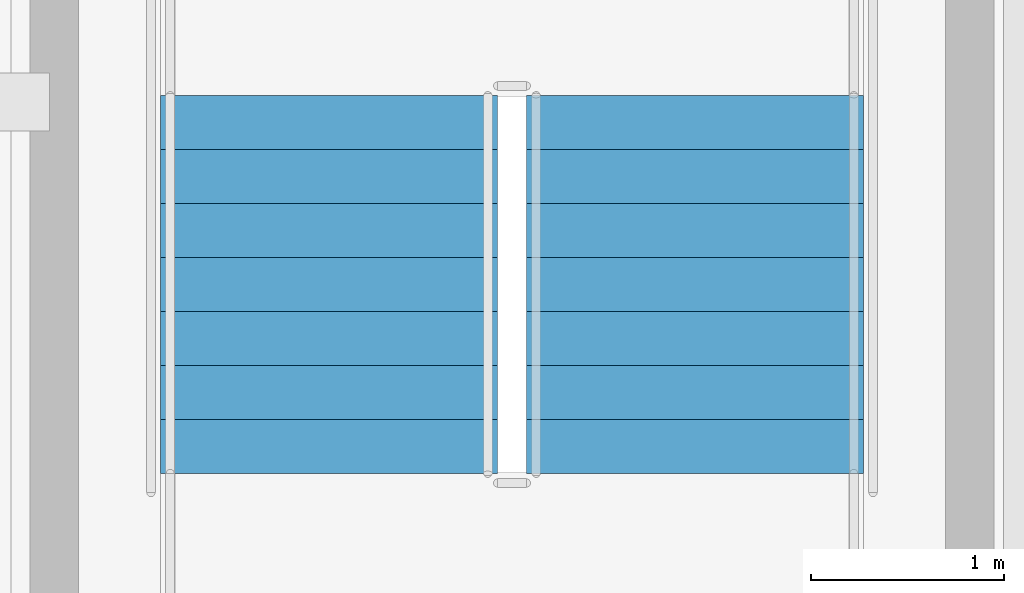
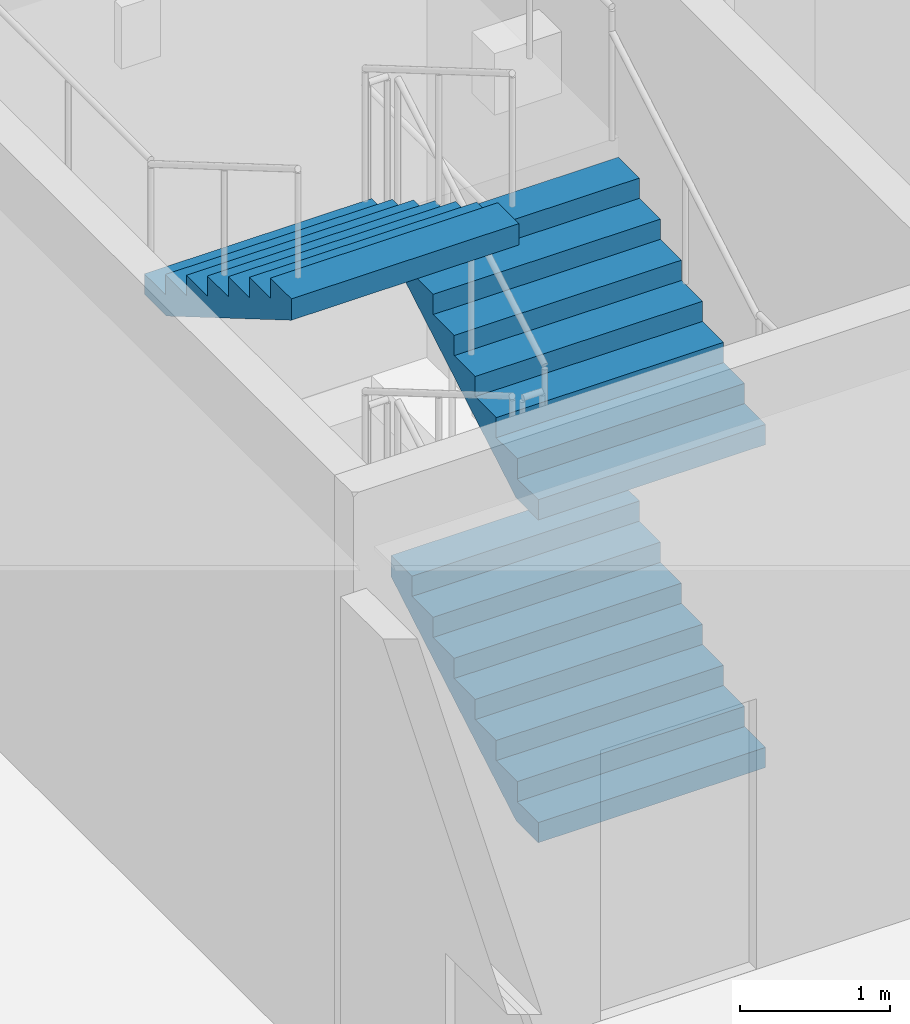
# One storey, part 76 of 125: 3 stair flights, 1 element without a shape of its own.
"""IFC4 building model written with IfcOpenShell, lengths in metres."""

import ifcopenshell
import ifcopenshell.guid

model = None  # the IFC model being written
_history = None  # IfcOwnerHistory: only IFC2X3 demands one
_inside = {}  # id of a spatial element -> (the spatial element, [elements in it])
_under = {}  # id of a project, library or spatial element -> (it, [spatial elements below it])
_declared = {}  # id of a project -> (the project, [libraries it declares])
_typed = {}  # id of a type object -> (the type object, [elements of that type])
_made_of = {}  # id of a material, layer set ... -> (it, [elements and type objects made of it])


def new_model(schema):
    """Start an empty IFC model of exactly this schema.

    Asked for "IFC4X3", IfcOpenShell would pick the latest addendum, in which some entities
    have other attributes; the version numbers below select the first issue.
    IFC2X3 requires an IfcOwnerHistory on every rooted entity: one is made here for all.
    """
    global model, _history
    if schema == "IFC4X3":
        model = ifcopenshell.file(schema_version=(4, 3, 0, 0))
    else:
        model = ifcopenshell.file(schema=schema)
    _inside.clear()
    _under.clear()
    _declared.clear()
    _typed.clear()
    _made_of.clear()
    _history = None
    if model.schema == "IFC2X3":
        org = make("IfcOrganization", Name="unknown")
        user = make(
            "IfcPersonAndOrganization",
            ThePerson=make("IfcPerson", FamilyName="unknown"),
            TheOrganization=org,
        )
        app = make(
            "IfcApplication",
            ApplicationDeveloper=org,
            Version="unknown",
            ApplicationFullName="unknown",
            ApplicationIdentifier="unknown",
        )
        _history = make(
            "IfcOwnerHistory",
            OwningUser=user,
            OwningApplication=app,
            ChangeAction="ADDED",
            CreationDate=0,
        )
    return model


def make(cls, **values):
    """One entity of the class cls with the attributes given. An attribute that is None is left unset."""
    return model.create_entity(
        cls, **{name: value for name, value in values.items() if value is not None}
    )


def rooted(cls, **values):
    """An entity with a GlobalId (a new one), such as an element, a storey or a relation."""
    return make(cls, GlobalId=ifcopenshell.guid.new(), OwnerHistory=_history, **values)


def si_unit(unit_type, name, prefix=None):
    """IfcSIUnit, for example si_unit("LENGTHUNIT", "METRE", prefix="MILLI")."""
    return make("IfcSIUnit", UnitType=unit_type, Prefix=prefix, Name=name)


def assignment(units):
    """IfcUnitAssignment: the units of a project."""
    return None if units is None else make("IfcUnitAssignment", Units=units)


def point(xyz):
    """IfcCartesianPoint."""
    return None if xyz is None else make("IfcCartesianPoint", Coordinates=xyz)


def direction(xyz):
    """IfcDirection."""
    return None if xyz is None else make("IfcDirection", DirectionRatios=xyz)


def frame(location, z_axis=None, x_axis=None):
    """IfcAxis2Placement3D, a coordinate frame: its origin and axes. An axis left out is left unset."""
    return make(
        "IfcAxis2Placement3D",
        Location=point(location),
        Axis=direction(z_axis),
        RefDirection=direction(x_axis),
    )


def origin():
    """The frame at (0, 0, 0) with its axes left unset."""
    return frame((0.0, 0.0, 0.0))


def place(relative_to, where):
    """IfcLocalPlacement: puts the frame where relative to a parent placement (None: the world)."""
    return make(
        "IfcLocalPlacement", PlacementRelTo=relative_to, RelativePlacement=where
    )


def context(
    kind, dimensions, precision=None, world=None, true_north=None, identifier=None
):
    """IfcGeometricRepresentationContext, for example the 3D "Model" context."""
    return make(
        "IfcGeometricRepresentationContext",
        ContextIdentifier=identifier,
        ContextType=kind,
        CoordinateSpaceDimension=dimensions,
        Precision=precision,
        WorldCoordinateSystem=world,
        TrueNorth=true_north,
    )


def subcontext(parent, identifier, kind, view, scale=None):
    """IfcGeometricRepresentationSubContext, for example "Body" below "Model"."""
    return make(
        "IfcGeometricRepresentationSubContext",
        ContextIdentifier=identifier,
        ContextType=kind,
        ParentContext=parent,
        TargetScale=scale,
        TargetView=view,
    )


def project(units=None, contexts=None):
    """IfcProject with its units and contexts."""
    return rooted(
        "IfcProject",
        Name="project",
        RepresentationContexts=contexts,
        UnitsInContext=assignment(units),
    )


def spatial(cls, under=None, at=None, **own):
    """A site, building, storey or space (cls), placed at a placement, below another one or the project."""
    s = rooted(cls, ObjectPlacement=at, **own)
    if under is not None:
        _under.setdefault(under.id(), (under, []))[1].append(s)
    return s


def polyline(points):
    """IfcPolyline through the points."""
    return make("IfcPolyline", Points=[point(p) for p in points])


def outline(outer, holes=None, kind="AREA"):
    """IfcArbitraryClosedProfileDef: a profile drawn as a closed curve; with holes, ...WithVoids."""
    if holes is None:
        return make("IfcArbitraryClosedProfileDef", ProfileType=kind, OuterCurve=outer)
    return make(
        "IfcArbitraryProfileDefWithVoids",
        ProfileType=kind,
        OuterCurve=outer,
        InnerCurves=holes,
    )


def extrude(swept, where, along, depth):
    """IfcExtrudedAreaSolid: the profile swept, set in the frame where, extruded along a direction by depth."""
    return make(
        "IfcExtrudedAreaSolid",
        SweptArea=swept,
        Position=where,
        ExtrudedDirection=direction(along),
        Depth=depth,
    )


def shape(context_of_items, identifier, shape_type, items):
    """IfcShapeRepresentation: the items that make up one representation, for example the "Body"."""
    return make(
        "IfcShapeRepresentation",
        ContextOfItems=context_of_items,
        RepresentationIdentifier=identifier,
        RepresentationType=shape_type,
        Items=items,
    )


def material(Name=None, Category=None):
    """IfcMaterial."""
    return make("IfcMaterial", Name=Name, Category=Category)


def made_of(thing, what):
    """Note that an element or type object is made of a material, layer set ...; save() writes the relation."""
    if what is not None:
        _made_of.setdefault(what.id(), (what, []))[1].append(thing)
    return thing


def type_object(cls, material=None, **own):
    """A type object (cls), such as IfcWallType, which elements share."""
    return made_of(rooted(cls, **own), material)


def element(
    cls,
    number,
    at=None,
    inside=None,
    cuts=None,
    type_object=None,
    material=None,
    context=None,
    identifier="Body",
    shape_type=None,
    held_by="IfcProductDefinitionShape",
    body=None,
    shapes=None,
    **own,
):
    """One element of the class cls, such as IfcWall. Its Tag is "e" and its number.

    at: its placement. inside: the storey or other place that contains it. cuts: it is an
    opening in that element (IfcRelVoidsElement). A single representation is given by context,
    identifier, shape_type and body (its items); several are given by shapes. held_by: the class
    of the entity that holds the representations. save() writes the other relations.
    """
    e = rooted(cls, Tag="e%d" % number, ObjectPlacement=at, **own)
    if body is not None:
        shapes = [shape(context, identifier, shape_type, body)]
    if shapes is not None:
        e.Representation = make(held_by, Representations=shapes)
    if inside is not None:
        _inside.setdefault(inside.id(), (inside, []))[1].append(e)
    if cuts is not None:
        rooted(
            "IfcRelVoidsElement", RelatingBuildingElement=cuts, RelatedOpeningElement=e
        )
    if type_object is not None:
        _typed.setdefault(type_object.id(), (type_object, []))[1].append(e)
    return made_of(e, material)


def aggregate(whole, parts):
    """IfcRelAggregates: a whole, such as a stair, and the parts it consists of."""
    return rooted("IfcRelAggregates", RelatingObject=whole, RelatedObjects=parts)


def save(model, path):
    """Write the relations noted so far, then the file.

    IfcRelAggregates (storeys below a building ...), IfcRelContainedInSpatialStructure (elements
    in a storey), IfcRelDefinesByType, IfcRelAssociatesMaterial and IfcRelDeclares: one each for
    every whole, place, type object, material and project.
    """
    for whole, parts in _under.values():
        aggregate(whole, parts)
    for where, things in _inside.values():
        rooted(
            "IfcRelContainedInSpatialStructure",
            RelatedElements=things,
            RelatingStructure=where,
        )
    for kind, things in _typed.values():
        rooted("IfcRelDefinesByType", RelatedObjects=things, RelatingType=kind)
    for what, things in _made_of.values():
        rooted("IfcRelAssociatesMaterial", RelatedObjects=things, RelatingMaterial=what)
    for by, libraries in _declared.values():
        rooted("IfcRelDeclares", RelatingContext=by, RelatedDefinitions=libraries)
    model.write(path)


model = new_model("IFC4")

# Units and contexts
model_context = context("Model", 3, precision=1e-05, world=origin(), true_north=direction((0.0, 1.0)))
body_context = subcontext(model_context, "Body", "Model", "MODEL_VIEW")
ifc_project = project(units=[si_unit("LENGTHUNIT", "METRE"), si_unit("AREAUNIT", "SQUARE_METRE"), si_unit("VOLUMEUNIT", "CUBIC_METRE"), si_unit("PLANEANGLEUNIT", "RADIAN"), si_unit("MASSUNIT", "GRAM", prefix="KILO")], contexts=[model_context])

# Site, building, storey
site_placement = place(None, origin())
site = spatial("IfcSite", under=ifc_project, at=site_placement, CompositionType="ELEMENT")
building_placement = place(site_placement, origin())
building = spatial("IfcBuilding", under=site, at=building_placement, Name="Sun Court Science Centre", CompositionType="ELEMENT")
storey_placement = place(building_placement, frame((0.0, 0.0, 6.0)))
storey = spatial("IfcBuildingStorey", under=building, at=storey_placement, Name="L01", CompositionType="ELEMENT", Elevation=6.0)

# Stair, stair flights
ifc_material_1 = material(Name="Concrete C25/30", Category="concrete")
stair_type = type_object("IfcStairType", Name="Stair 1500 enclosed half-turn", PredefinedType="HALF_TURN_STAIR", material=ifc_material_1)
stair_placement = place(storey_placement, origin())
stair = element("IfcStair", 1, at=stair_placement, inside=storey, type_object=stair_type, Name="L01 Stair SL2", PredefinedType="HALF_TURN_STAIR")
ifc_material_2 = material(Name="Concrete C25/30", Category="concrete")
stair_flight_type = type_object("IfcStairFlightType", Name="Stair flight 1500 with waist", PredefinedType="STRAIGHT", material=ifc_material_2)
stair_flight_1_placement = place(storey_placement, frame((85.448974609375, 37.998046875, 0.0), z_axis=(0.0, 0.0, 1.0), x_axis=(0.0, 1.0, 0.0)))
stair_flight_1 = element("IfcStairFlight", 2, at=stair_flight_1_placement, type_object=stair_flight_type, Name="SL2 flight 1", NumberOfRisers=8, NumberOfTreads=7, PredefinedType="STRAIGHT", RiserHeight=0.1640625, TreadLength=0.28, context=body_context, shape_type="SweptSolid", body=[
    extrude(outline(polyline([(0.0, 0.0), (0.0, 0.00244140625), (0.0, 0.0048828125), (0.0, 0.00732421875), (0.0, 0.009765625), (0.0, 0.01220703125), (0.0, 0.0146484375), (0.0, 0.01708984375), (0.0, 0.01953125), (0.0, 0.02197265625), (0.0, 0.0244140625), (0.0, 0.02685546875), (0.0, 0.029296875), (0.0, 0.03173828125), (0.0, 0.0341796875), (0.0, 0.03662109375), (0.0, 0.0390625), (0.0, 0.04150390625), (0.0, 0.0439453125), (0.0, 0.04638671875), (0.0, 0.048828125), (0.0, 0.05126953125), (0.0, 0.0537109375), (0.0, 0.05615234375), (0.0, 0.05859375), (0.0, 0.06103515625), (0.0, 0.0634765625), (0.0, 0.06591796875), (0.0, 0.068359375), (0.0, 0.07080078125), (0.0, 0.0732421875), (0.0, 0.07568359375), (0.0, 0.078125), (0.0, 0.08056640625), (0.0, 0.0830078125), (0.0, 0.08544921875), (0.0, 0.087890625), (0.0, 0.09033203125), (0.0, 0.0927734375), (0.0, 0.09521484375), (0.0, 0.09765625), (0.0, 0.10009765625), (0.0, 0.1025390625), (0.0, 0.10498046875), (0.0, 0.107421875), (0.0, 0.10986328125), (0.0, 0.1123046875), (0.0, 0.11474609375), (0.0, 0.1171875), (0.0, 0.11962890625), (0.0, 0.1220703125), (0.0, 0.12451171875), (0.0, 0.126953125), (0.0, 0.12939453125), (0.0, 0.1318359375), (0.0, 0.13427734375), (0.0, 0.13671875), (0.0, 0.13916015625), (0.0, 0.1416015625), (0.0, 0.14404296875), (0.0, 0.146484375), (0.0, 0.14892578125), (0.0, 0.1513671875), (0.0, 0.15380859375), (0.0, 0.15625), (0.0, 0.15869140625), (0.0, 0.1611328125), (0.0, 0.1640625), (0.280029296875, 0.1640625), (0.280029296875, 0.328125), (0.56005859375, 0.328125), (0.56005859375, 0.4921875), (0.840087890625, 0.4921875), (0.840087890625, 0.65625), (1.1201171875, 0.65625), (1.1201171875, 0.8203125), (1.39990234375, 0.8203125), (1.39990234375, 0.984375), (1.679931640625, 0.984375), (1.679931640625, 1.1484375), (1.9599609375, 1.1484375), (1.9599609375, 1.15087890625), (1.9599609375, 1.1533203125), (1.9599609375, 1.15576171875), (1.9599609375, 1.158203125), (1.9599609375, 1.16064453125), (1.9599609375, 1.1630859375), (1.9599609375, 1.16552734375), (1.9599609375, 1.16796875), (1.9599609375, 1.17041015625), (1.9599609375, 1.1728515625), (1.9599609375, 1.17529296875), (1.9599609375, 1.177734375), (1.9599609375, 1.18017578125), (1.9599609375, 1.1826171875), (1.9599609375, 1.18505859375), (1.9599609375, 1.1875), (1.9599609375, 1.18994140625), (1.9599609375, 1.1923828125), (1.9599609375, 1.19482421875), (1.9599609375, 1.197265625), (1.9599609375, 1.19970703125), (1.9599609375, 1.2021484375), (1.9599609375, 1.20458984375), (1.9599609375, 1.20703125), (1.9599609375, 1.20947265625), (1.9599609375, 1.2119140625), (1.9599609375, 1.21435546875), (1.9599609375, 1.216796875), (1.9599609375, 1.21923828125), (1.9599609375, 1.2216796875), (1.9599609375, 1.22412109375), (1.9599609375, 1.2265625), (1.9599609375, 1.22900390625), (1.9599609375, 1.2314453125), (1.9599609375, 1.23388671875), (1.9599609375, 1.236328125), (1.9599609375, 1.23876953125), (1.9599609375, 1.2412109375), (1.9599609375, 1.24365234375), (1.9599609375, 1.24609375), (1.9599609375, 1.24853515625), (1.9599609375, 1.2509765625), (1.9599609375, 1.25341796875), (1.9599609375, 1.255859375), (1.9599609375, 1.25830078125), (1.9599609375, 1.2607421875), (1.9599609375, 1.26318359375), (1.9599609375, 1.265625), (1.9599609375, 1.26806640625), (1.9599609375, 1.2705078125), (1.9599609375, 1.27294921875), (1.9599609375, 1.275390625), (1.9599609375, 1.27783203125), (1.9599609375, 1.2802734375), (1.9599609375, 1.28271484375), (1.9599609375, 1.28515625), (1.9599609375, 1.28759765625), (1.9599609375, 1.2900390625), (1.9599609375, 1.29248046875), (1.9599609375, 1.294921875), (1.9599609375, 1.29736328125), (1.9599609375, 1.2998046875), (1.9599609375, 1.30224609375), (1.9599609375, 1.3046875), (1.9599609375, 1.30712890625), (1.9599609375, 1.3095703125), (1.9599609375, 1.3125), (1.9599609375, 1.31005859375), (1.9599609375, 1.3076171875), (1.9599609375, 1.30517578125), (1.9599609375, 1.302734375), (1.9599609375, 1.30029296875), (1.9599609375, 1.2978515625), (1.9599609375, 1.29541015625), (1.9599609375, 1.29296875), (1.9599609375, 1.29052734375), (1.9599609375, 1.2880859375), (1.9599609375, 1.28564453125), (1.9599609375, 1.283203125), (1.9599609375, 1.28076171875), (1.9599609375, 1.2783203125), (1.9599609375, 1.27587890625), (1.9599609375, 1.2734375), (1.9599609375, 1.27099609375), (1.9599609375, 1.2685546875), (1.9599609375, 1.26611328125), (1.9599609375, 1.263671875), (1.9599609375, 1.26123046875), (1.9599609375, 1.2587890625), (1.9599609375, 1.25634765625), (1.9599609375, 1.25390625), (1.9599609375, 1.25146484375), (1.9599609375, 1.2490234375), (1.9599609375, 1.24658203125), (1.9599609375, 1.244140625), (1.9599609375, 1.24169921875), (1.9599609375, 1.2392578125), (1.9599609375, 1.23681640625), (1.9599609375, 1.234375), (1.9599609375, 1.23193359375), (1.9599609375, 1.2294921875), (1.9599609375, 1.22705078125), (1.9599609375, 1.224609375), (1.9599609375, 1.22216796875), (1.9599609375, 1.2197265625), (1.9599609375, 1.21728515625), (1.9599609375, 1.21484375), (1.9599609375, 1.21240234375), (1.9599609375, 1.2099609375), (1.9599609375, 1.20751953125), (1.9599609375, 1.205078125), (1.9599609375, 1.20263671875), (1.9599609375, 1.2001953125), (1.9599609375, 1.19775390625), (1.9599609375, 1.1953125), (1.9599609375, 1.19287109375), (1.9599609375, 1.1904296875), (1.9599609375, 1.18798828125), (1.9599609375, 1.185546875), (1.9599609375, 1.18310546875), (1.9599609375, 1.1806640625), (1.9599609375, 1.17822265625), (1.9599609375, 1.17578125), (1.9599609375, 1.17333984375), (1.9599609375, 1.1708984375), (1.9599609375, 1.16845703125), (1.9599609375, 1.166015625), (1.9599609375, 1.16357421875), (1.9599609375, 1.1611328125), (1.9599609375, 1.15869140625), (1.9599609375, 1.15625), (1.9599609375, 1.15380859375), (1.9599609375, 1.1513671875), (1.9599609375, 1.14892578125), (1.9599609375, 1.146484375), (1.9599609375, 1.14404296875), (1.9599609375, 1.1416015625), (1.9599609375, 1.13916015625), (1.9599609375, 1.13671875), (1.9599609375, 1.13427734375), (1.9599609375, 1.1318359375), (1.9599609375, 1.12939453125), (1.9599609375, 1.126953125), (1.9599609375, 1.12451171875), (1.9599609375, 1.1220703125), (1.9599609375, 1.11962890625), (1.9599609375, 1.1171875), (1.9599609375, 1.11474609375), (1.9599609375, 1.1123046875), (1.9599609375, 1.10986328125), (1.9599609375, 1.107421875), (1.9599609375, 1.10498046875), (1.9599609375, 1.1025390625), (1.9599609375, 1.10009765625), (1.9599609375, 1.09765625), (1.9599609375, 1.09521484375), (1.9599609375, 1.0927734375), (1.9599609375, 1.09033203125), (1.9599609375, 1.087890625), (1.9599609375, 1.08544921875), (1.9599609375, 1.0830078125), (1.9599609375, 1.08056640625), (1.9599609375, 1.078125), (1.9599609375, 1.07568359375), (1.9599609375, 1.0732421875), (1.9599609375, 1.07080078125), (1.9599609375, 1.068359375), (1.9599609375, 1.06591796875), (1.9599609375, 1.0634765625), (1.9599609375, 1.06103515625), (1.9599609375, 1.05859375), (1.9599609375, 1.05615234375), (1.9599609375, 1.0537109375), (1.9599609375, 1.05126953125), (1.9599609375, 1.048828125), (1.9599609375, 1.04638671875), (1.9599609375, 1.0439453125), (1.9599609375, 1.04150390625), (1.9599609375, 1.0390625), (1.9599609375, 1.03662109375), (1.9599609375, 1.0341796875), (1.9599609375, 1.03173828125), (1.9599609375, 1.029296875), (1.9599609375, 1.02685546875), (1.9599609375, 1.0244140625), (1.9599609375, 1.02197265625), (1.9599609375, 1.01953125), (1.9599609375, 1.01708984375), (1.9599609375, 1.0146484375), (1.9599609375, 1.01220703125), (1.9599609375, 1.009765625), (1.9599609375, 1.00732421875), (1.9599609375, 1.0048828125), (1.9599609375, 1.00244140625), (1.9599609375, 1.0), (1.9599609375, 0.99755859375), (1.9599609375, 0.9951171875), (1.9599609375, 0.99267578125), (1.9599609375, 0.990234375), (1.9599609375, 0.98779296875), (1.9599609375, 0.9853515625), (1.9599609375, 0.98291015625), (1.9599609375, 0.98046875), (1.9599609375, 0.97802734375), (1.9599609375, 0.974609375), (0.296630859375, 0.0), (0.0, 0.0)])), frame((0.0, 0.8740234375, 0.0), z_axis=(0.0, -1.0, 0.0), x_axis=(1.0, 0.0, 0.0)), (0.0, 0.0, 1.0), 1.748046875),
])
stair_flight_2_placement = place(storey_placement, frame((85.448974609375, 37.998046875, 2.625), z_axis=(0.0, 0.0, 1.0), x_axis=(0.0, 1.0, 0.0)))
stair_flight_2 = element("IfcStairFlight", 3, at=stair_flight_2_placement, type_object=stair_flight_type, Name="SL2 flight 3", NumberOfRisers=8, NumberOfTreads=7, PredefinedType="STRAIGHT", RiserHeight=0.1640625, TreadLength=0.28, context=body_context, shape_type="SweptSolid", body=[
    extrude(outline(polyline([(0.0, 0.0), (0.0, 0.00244140625), (0.0, 0.0048828125), (0.0, 0.00732421875), (0.0, 0.009765625), (0.0, 0.01220703125), (0.0, 0.0146484375), (0.0, 0.01708984375), (0.0, 0.01953125), (0.0, 0.02197265625), (0.0, 0.0244140625), (0.0, 0.02685546875), (0.0, 0.029296875), (0.0, 0.03173828125), (0.0, 0.0341796875), (0.0, 0.03662109375), (0.0, 0.0390625), (0.0, 0.04150390625), (0.0, 0.0439453125), (0.0, 0.04638671875), (0.0, 0.048828125), (0.0, 0.05126953125), (0.0, 0.0537109375), (0.0, 0.05615234375), (0.0, 0.05859375), (0.0, 0.06103515625), (0.0, 0.0634765625), (0.0, 0.06591796875), (0.0, 0.068359375), (0.0, 0.07080078125), (0.0, 0.0732421875), (0.0, 0.07568359375), (0.0, 0.078125), (0.0, 0.08056640625), (0.0, 0.0830078125), (0.0, 0.08544921875), (0.0, 0.087890625), (0.0, 0.09033203125), (0.0, 0.0927734375), (0.0, 0.09521484375), (0.0, 0.09765625), (0.0, 0.10009765625), (0.0, 0.1025390625), (0.0, 0.10498046875), (0.0, 0.107421875), (0.0, 0.10986328125), (0.0, 0.1123046875), (0.0, 0.11474609375), (0.0, 0.1171875), (0.0, 0.11962890625), (0.0, 0.1220703125), (0.0, 0.12451171875), (0.0, 0.126953125), (0.0, 0.12939453125), (0.0, 0.1318359375), (0.0, 0.13427734375), (0.0, 0.13671875), (0.0, 0.13916015625), (0.0, 0.1416015625), (0.0, 0.14404296875), (0.0, 0.146484375), (0.0, 0.14892578125), (0.0, 0.1513671875), (0.0, 0.15380859375), (0.0, 0.15625), (0.0, 0.15869140625), (0.0, 0.1611328125), (0.0, 0.1640625), (0.280029296875, 0.1640625), (0.280029296875, 0.328125), (0.56005859375, 0.328125), (0.56005859375, 0.4921875), (0.840087890625, 0.4921875), (0.840087890625, 0.65625), (1.1201171875, 0.65625), (1.1201171875, 0.8203125), (1.39990234375, 0.8203125), (1.39990234375, 0.984375), (1.679931640625, 0.984375), (1.679931640625, 1.1484375), (1.9599609375, 1.1484375), (1.9599609375, 1.15087890625), (1.9599609375, 1.1533203125), (1.9599609375, 1.15576171875), (1.9599609375, 1.158203125), (1.9599609375, 1.16064453125), (1.9599609375, 1.1630859375), (1.9599609375, 1.16552734375), (1.9599609375, 1.16796875), (1.9599609375, 1.17041015625), (1.9599609375, 1.1728515625), (1.9599609375, 1.17529296875), (1.9599609375, 1.177734375), (1.9599609375, 1.18017578125), (1.9599609375, 1.1826171875), (1.9599609375, 1.18505859375), (1.9599609375, 1.1875), (1.9599609375, 1.18994140625), (1.9599609375, 1.1923828125), (1.9599609375, 1.19482421875), (1.9599609375, 1.197265625), (1.9599609375, 1.19970703125), (1.9599609375, 1.2021484375), (1.9599609375, 1.20458984375), (1.9599609375, 1.20703125), (1.9599609375, 1.20947265625), (1.9599609375, 1.2119140625), (1.9599609375, 1.21435546875), (1.9599609375, 1.216796875), (1.9599609375, 1.21923828125), (1.9599609375, 1.2216796875), (1.9599609375, 1.22412109375), (1.9599609375, 1.2265625), (1.9599609375, 1.22900390625), (1.9599609375, 1.2314453125), (1.9599609375, 1.23388671875), (1.9599609375, 1.236328125), (1.9599609375, 1.23876953125), (1.9599609375, 1.2412109375), (1.9599609375, 1.24365234375), (1.9599609375, 1.24609375), (1.9599609375, 1.24853515625), (1.9599609375, 1.2509765625), (1.9599609375, 1.25341796875), (1.9599609375, 1.255859375), (1.9599609375, 1.25830078125), (1.9599609375, 1.2607421875), (1.9599609375, 1.26318359375), (1.9599609375, 1.265625), (1.9599609375, 1.26806640625), (1.9599609375, 1.2705078125), (1.9599609375, 1.27294921875), (1.9599609375, 1.275390625), (1.9599609375, 1.27783203125), (1.9599609375, 1.2802734375), (1.9599609375, 1.28271484375), (1.9599609375, 1.28515625), (1.9599609375, 1.28759765625), (1.9599609375, 1.2900390625), (1.9599609375, 1.29248046875), (1.9599609375, 1.294921875), (1.9599609375, 1.29736328125), (1.9599609375, 1.2998046875), (1.9599609375, 1.30224609375), (1.9599609375, 1.3046875), (1.9599609375, 1.30712890625), (1.9599609375, 1.3095703125), (1.9599609375, 1.3125), (1.9599609375, 1.31005859375), (1.9599609375, 1.3076171875), (1.9599609375, 1.30517578125), (1.9599609375, 1.302734375), (1.9599609375, 1.30029296875), (1.9599609375, 1.2978515625), (1.9599609375, 1.29541015625), (1.9599609375, 1.29296875), (1.9599609375, 1.29052734375), (1.9599609375, 1.2880859375), (1.9599609375, 1.28564453125), (1.9599609375, 1.283203125), (1.9599609375, 1.28076171875), (1.9599609375, 1.2783203125), (1.9599609375, 1.27587890625), (1.9599609375, 1.2734375), (1.9599609375, 1.27099609375), (1.9599609375, 1.2685546875), (1.9599609375, 1.26611328125), (1.9599609375, 1.263671875), (1.9599609375, 1.26123046875), (1.9599609375, 1.2587890625), (1.9599609375, 1.25634765625), (1.9599609375, 1.25390625), (1.9599609375, 1.25146484375), (1.9599609375, 1.2490234375), (1.9599609375, 1.24658203125), (1.9599609375, 1.244140625), (1.9599609375, 1.24169921875), (1.9599609375, 1.2392578125), (1.9599609375, 1.23681640625), (1.9599609375, 1.234375), (1.9599609375, 1.23193359375), (1.9599609375, 1.2294921875), (1.9599609375, 1.22705078125), (1.9599609375, 1.224609375), (1.9599609375, 1.22216796875), (1.9599609375, 1.2197265625), (1.9599609375, 1.21728515625), (1.9599609375, 1.21484375), (1.9599609375, 1.21240234375), (1.9599609375, 1.2099609375), (1.9599609375, 1.20751953125), (1.9599609375, 1.205078125), (1.9599609375, 1.20263671875), (1.9599609375, 1.2001953125), (1.9599609375, 1.19775390625), (1.9599609375, 1.1953125), (1.9599609375, 1.19287109375), (1.9599609375, 1.1904296875), (1.9599609375, 1.18798828125), (1.9599609375, 1.185546875), (1.9599609375, 1.18310546875), (1.9599609375, 1.1806640625), (1.9599609375, 1.17822265625), (1.9599609375, 1.17578125), (1.9599609375, 1.17333984375), (1.9599609375, 1.1708984375), (1.9599609375, 1.16845703125), (1.9599609375, 1.166015625), (1.9599609375, 1.16357421875), (1.9599609375, 1.1611328125), (1.9599609375, 1.15869140625), (1.9599609375, 1.15625), (1.9599609375, 1.15380859375), (1.9599609375, 1.1513671875), (1.9599609375, 1.14892578125), (1.9599609375, 1.146484375), (1.9599609375, 1.14404296875), (1.9599609375, 1.1416015625), (1.9599609375, 1.13916015625), (1.9599609375, 1.13671875), (1.9599609375, 1.13427734375), (1.9599609375, 1.1318359375), (1.9599609375, 1.12939453125), (1.9599609375, 1.126953125), (1.9599609375, 1.12451171875), (1.9599609375, 1.1220703125), (1.9599609375, 1.11962890625), (1.9599609375, 1.1171875), (1.9599609375, 1.11474609375), (1.9599609375, 1.1123046875), (1.9599609375, 1.10986328125), (1.9599609375, 1.107421875), (1.9599609375, 1.10498046875), (1.9599609375, 1.1025390625), (1.9599609375, 1.10009765625), (1.9599609375, 1.09765625), (1.9599609375, 1.09521484375), (1.9599609375, 1.0927734375), (1.9599609375, 1.09033203125), (1.9599609375, 1.087890625), (1.9599609375, 1.08544921875), (1.9599609375, 1.0830078125), (1.9599609375, 1.08056640625), (1.9599609375, 1.078125), (1.9599609375, 1.07568359375), (1.9599609375, 1.0732421875), (1.9599609375, 1.07080078125), (1.9599609375, 1.068359375), (1.9599609375, 1.06591796875), (1.9599609375, 1.0634765625), (1.9599609375, 1.06103515625), (1.9599609375, 1.05859375), (1.9599609375, 1.05615234375), (1.9599609375, 1.0537109375), (1.9599609375, 1.05126953125), (1.9599609375, 1.048828125), (1.9599609375, 1.04638671875), (1.9599609375, 1.0439453125), (1.9599609375, 1.04150390625), (1.9599609375, 1.0390625), (1.9599609375, 1.03662109375), (1.9599609375, 1.0341796875), (1.9599609375, 1.03173828125), (1.9599609375, 1.029296875), (1.9599609375, 1.02685546875), (1.9599609375, 1.0244140625), (1.9599609375, 1.02197265625), (1.9599609375, 1.01953125), (1.9599609375, 1.01708984375), (1.9599609375, 1.0146484375), (1.9599609375, 1.01220703125), (1.9599609375, 1.009765625), (1.9599609375, 1.00732421875), (1.9599609375, 1.0048828125), (1.9599609375, 1.00244140625), (1.9599609375, 1.0), (1.9599609375, 0.99755859375), (1.9599609375, 0.9951171875), (1.9599609375, 0.99267578125), (1.9599609375, 0.990234375), (1.9599609375, 0.98779296875), (1.9599609375, 0.9853515625), (1.9599609375, 0.98291015625), (1.9599609375, 0.98046875), (1.9599609375, 0.97802734375), (1.9599609375, 0.974609375), (0.296630859375, 0.0), (0.0, 0.0)])), frame((0.0, 0.8740234375, 0.0), z_axis=(0.0, -1.0, 0.0), x_axis=(1.0, 0.0, 0.0)), (0.0, 0.0, 1.0), 1.748046875),
])
stair_flight_3_placement = place(storey_placement, frame((83.551025390625, 39.9580078125, 3.9375), z_axis=(0.0, 0.0, 1.0), x_axis=(0.0, -1.0, 0.0)))
stair_flight_3 = element("IfcStairFlight", 4, at=stair_flight_3_placement, type_object=stair_flight_type, Name="SL2 flight 4", NumberOfRisers=8, NumberOfTreads=7, PredefinedType="STRAIGHT", RiserHeight=0.1640625, TreadLength=0.28, context=body_context, shape_type="SweptSolid", body=[
    extrude(outline(polyline([(0.0, 0.0), (0.0, 0.00244140625), (0.0, 0.0048828125), (0.0, 0.00732421875), (0.0, 0.009765625), (0.0, 0.01220703125), (0.0, 0.0146484375), (0.0, 0.01708984375), (0.0, 0.01953125), (0.0, 0.02197265625), (0.0, 0.0244140625), (0.0, 0.02685546875), (0.0, 0.029296875), (0.0, 0.03173828125), (0.0, 0.0341796875), (0.0, 0.03662109375), (0.0, 0.0390625), (0.0, 0.04150390625), (0.0, 0.0439453125), (0.0, 0.04638671875), (0.0, 0.048828125), (0.0, 0.05126953125), (0.0, 0.0537109375), (0.0, 0.05615234375), (0.0, 0.05859375), (0.0, 0.06103515625), (0.0, 0.0634765625), (0.0, 0.06591796875), (0.0, 0.068359375), (0.0, 0.07080078125), (0.0, 0.0732421875), (0.0, 0.07568359375), (0.0, 0.078125), (0.0, 0.08056640625), (0.0, 0.0830078125), (0.0, 0.08544921875), (0.0, 0.087890625), (0.0, 0.09033203125), (0.0, 0.0927734375), (0.0, 0.09521484375), (0.0, 0.09765625), (0.0, 0.10009765625), (0.0, 0.1025390625), (0.0, 0.10498046875), (0.0, 0.107421875), (0.0, 0.10986328125), (0.0, 0.1123046875), (0.0, 0.11474609375), (0.0, 0.1171875), (0.0, 0.11962890625), (0.0, 0.1220703125), (0.0, 0.12451171875), (0.0, 0.126953125), (0.0, 0.12939453125), (0.0, 0.1318359375), (0.0, 0.13427734375), (0.0, 0.13671875), (0.0, 0.13916015625), (0.0, 0.1416015625), (0.0, 0.14404296875), (0.0, 0.146484375), (0.0, 0.14892578125), (0.0, 0.1513671875), (0.0, 0.15380859375), (0.0, 0.15625), (0.0, 0.15869140625), (0.0, 0.1611328125), (0.0, 0.1640625), (0.280029296875, 0.1640625), (0.280029296875, 0.328125), (0.56005859375, 0.328125), (0.56005859375, 0.4921875), (0.840087890625, 0.4921875), (0.840087890625, 0.65625), (1.1201171875, 0.65625), (1.1201171875, 0.8203125), (1.39990234375, 0.8203125), (1.39990234375, 0.984375), (1.679931640625, 0.984375), (1.679931640625, 1.1484375), (1.9599609375, 1.1484375), (1.9599609375, 1.15087890625), (1.9599609375, 1.1533203125), (1.9599609375, 1.15576171875), (1.9599609375, 1.158203125), (1.9599609375, 1.16064453125), (1.9599609375, 1.1630859375), (1.9599609375, 1.16552734375), (1.9599609375, 1.16796875), (1.9599609375, 1.17041015625), (1.9599609375, 1.1728515625), (1.9599609375, 1.17529296875), (1.9599609375, 1.177734375), (1.9599609375, 1.18017578125), (1.9599609375, 1.1826171875), (1.9599609375, 1.18505859375), (1.9599609375, 1.1875), (1.9599609375, 1.18994140625), (1.9599609375, 1.1923828125), (1.9599609375, 1.19482421875), (1.9599609375, 1.197265625), (1.9599609375, 1.19970703125), (1.9599609375, 1.2021484375), (1.9599609375, 1.20458984375), (1.9599609375, 1.20703125), (1.9599609375, 1.20947265625), (1.9599609375, 1.2119140625), (1.9599609375, 1.21435546875), (1.9599609375, 1.216796875), (1.9599609375, 1.21923828125), (1.9599609375, 1.2216796875), (1.9599609375, 1.22412109375), (1.9599609375, 1.2265625), (1.9599609375, 1.22900390625), (1.9599609375, 1.2314453125), (1.9599609375, 1.23388671875), (1.9599609375, 1.236328125), (1.9599609375, 1.23876953125), (1.9599609375, 1.2412109375), (1.9599609375, 1.24365234375), (1.9599609375, 1.24609375), (1.9599609375, 1.24853515625), (1.9599609375, 1.2509765625), (1.9599609375, 1.25341796875), (1.9599609375, 1.255859375), (1.9599609375, 1.25830078125), (1.9599609375, 1.2607421875), (1.9599609375, 1.26318359375), (1.9599609375, 1.265625), (1.9599609375, 1.26806640625), (1.9599609375, 1.2705078125), (1.9599609375, 1.27294921875), (1.9599609375, 1.275390625), (1.9599609375, 1.27783203125), (1.9599609375, 1.2802734375), (1.9599609375, 1.28271484375), (1.9599609375, 1.28515625), (1.9599609375, 1.28759765625), (1.9599609375, 1.2900390625), (1.9599609375, 1.29248046875), (1.9599609375, 1.294921875), (1.9599609375, 1.29736328125), (1.9599609375, 1.2998046875), (1.9599609375, 1.30224609375), (1.9599609375, 1.3046875), (1.9599609375, 1.30712890625), (1.9599609375, 1.3095703125), (1.9599609375, 1.3125), (1.9599609375, 1.31005859375), (1.9599609375, 1.3076171875), (1.9599609375, 1.30517578125), (1.9599609375, 1.302734375), (1.9599609375, 1.30029296875), (1.9599609375, 1.2978515625), (1.9599609375, 1.29541015625), (1.9599609375, 1.29296875), (1.9599609375, 1.29052734375), (1.9599609375, 1.2880859375), (1.9599609375, 1.28564453125), (1.9599609375, 1.283203125), (1.9599609375, 1.28076171875), (1.9599609375, 1.2783203125), (1.9599609375, 1.27587890625), (1.9599609375, 1.2734375), (1.9599609375, 1.27099609375), (1.9599609375, 1.2685546875), (1.9599609375, 1.26611328125), (1.9599609375, 1.263671875), (1.9599609375, 1.26123046875), (1.9599609375, 1.2587890625), (1.9599609375, 1.25634765625), (1.9599609375, 1.25390625), (1.9599609375, 1.25146484375), (1.9599609375, 1.2490234375), (1.9599609375, 1.24658203125), (1.9599609375, 1.244140625), (1.9599609375, 1.24169921875), (1.9599609375, 1.2392578125), (1.9599609375, 1.23681640625), (1.9599609375, 1.234375), (1.9599609375, 1.23193359375), (1.9599609375, 1.2294921875), (1.9599609375, 1.22705078125), (1.9599609375, 1.224609375), (1.9599609375, 1.22216796875), (1.9599609375, 1.2197265625), (1.9599609375, 1.21728515625), (1.9599609375, 1.21484375), (1.9599609375, 1.21240234375), (1.9599609375, 1.2099609375), (1.9599609375, 1.20751953125), (1.9599609375, 1.205078125), (1.9599609375, 1.20263671875), (1.9599609375, 1.2001953125), (1.9599609375, 1.19775390625), (1.9599609375, 1.1953125), (1.9599609375, 1.19287109375), (1.9599609375, 1.1904296875), (1.9599609375, 1.18798828125), (1.9599609375, 1.185546875), (1.9599609375, 1.18310546875), (1.9599609375, 1.1806640625), (1.9599609375, 1.17822265625), (1.9599609375, 1.17578125), (1.9599609375, 1.17333984375), (1.9599609375, 1.1708984375), (1.9599609375, 1.16845703125), (1.9599609375, 1.166015625), (1.9599609375, 1.16357421875), (1.9599609375, 1.1611328125), (1.9599609375, 1.15869140625), (1.9599609375, 1.15625), (1.9599609375, 1.15380859375), (1.9599609375, 1.1513671875), (1.9599609375, 1.14892578125), (1.9599609375, 1.146484375), (1.9599609375, 1.14404296875), (1.9599609375, 1.1416015625), (1.9599609375, 1.13916015625), (1.9599609375, 1.13671875), (1.9599609375, 1.13427734375), (1.9599609375, 1.1318359375), (1.9599609375, 1.12939453125), (1.9599609375, 1.126953125), (1.9599609375, 1.12451171875), (1.9599609375, 1.1220703125), (1.9599609375, 1.11962890625), (1.9599609375, 1.1171875), (1.9599609375, 1.11474609375), (1.9599609375, 1.1123046875), (1.9599609375, 1.10986328125), (1.9599609375, 1.107421875), (1.9599609375, 1.10498046875), (1.9599609375, 1.1025390625), (1.9599609375, 1.10009765625), (1.9599609375, 1.09765625), (1.9599609375, 1.09521484375), (1.9599609375, 1.0927734375), (1.9599609375, 1.09033203125), (1.9599609375, 1.087890625), (1.9599609375, 1.08544921875), (1.9599609375, 1.0830078125), (1.9599609375, 1.08056640625), (1.9599609375, 1.078125), (1.9599609375, 1.07568359375), (1.9599609375, 1.0732421875), (1.9599609375, 1.07080078125), (1.9599609375, 1.068359375), (1.9599609375, 1.06591796875), (1.9599609375, 1.0634765625), (1.9599609375, 1.06103515625), (1.9599609375, 1.05859375), (1.9599609375, 1.05615234375), (1.9599609375, 1.0537109375), (1.9599609375, 1.05126953125), (1.9599609375, 1.048828125), (1.9599609375, 1.04638671875), (1.9599609375, 1.0439453125), (1.9599609375, 1.04150390625), (1.9599609375, 1.0390625), (1.9599609375, 1.03662109375), (1.9599609375, 1.0341796875), (1.9599609375, 1.03173828125), (1.9599609375, 1.029296875), (1.9599609375, 1.02685546875), (1.9599609375, 1.0244140625), (1.9599609375, 1.02197265625), (1.9599609375, 1.01953125), (1.9599609375, 1.01708984375), (1.9599609375, 1.0146484375), (1.9599609375, 1.01220703125), (1.9599609375, 1.009765625), (1.9599609375, 1.00732421875), (1.9599609375, 1.0048828125), (1.9599609375, 1.00244140625), (1.9599609375, 1.0), (1.9599609375, 0.99755859375), (1.9599609375, 0.9951171875), (1.9599609375, 0.99267578125), (1.9599609375, 0.990234375), (1.9599609375, 0.98779296875), (1.9599609375, 0.9853515625), (1.9599609375, 0.98291015625), (1.9599609375, 0.98046875), (1.9599609375, 0.97802734375), (1.9599609375, 0.974609375), (0.296630859375, 0.0), (0.0, 0.0)])), frame((0.0, 0.8740234375, 0.0), z_axis=(0.0, -1.0, 0.0), x_axis=(1.0, 0.0, 0.0)), (0.0, 0.0, 1.0), 1.748046875),
])
aggregate(stair, [stair_flight_1, stair_flight_2, stair_flight_3])

save(model, "model.ifc")
